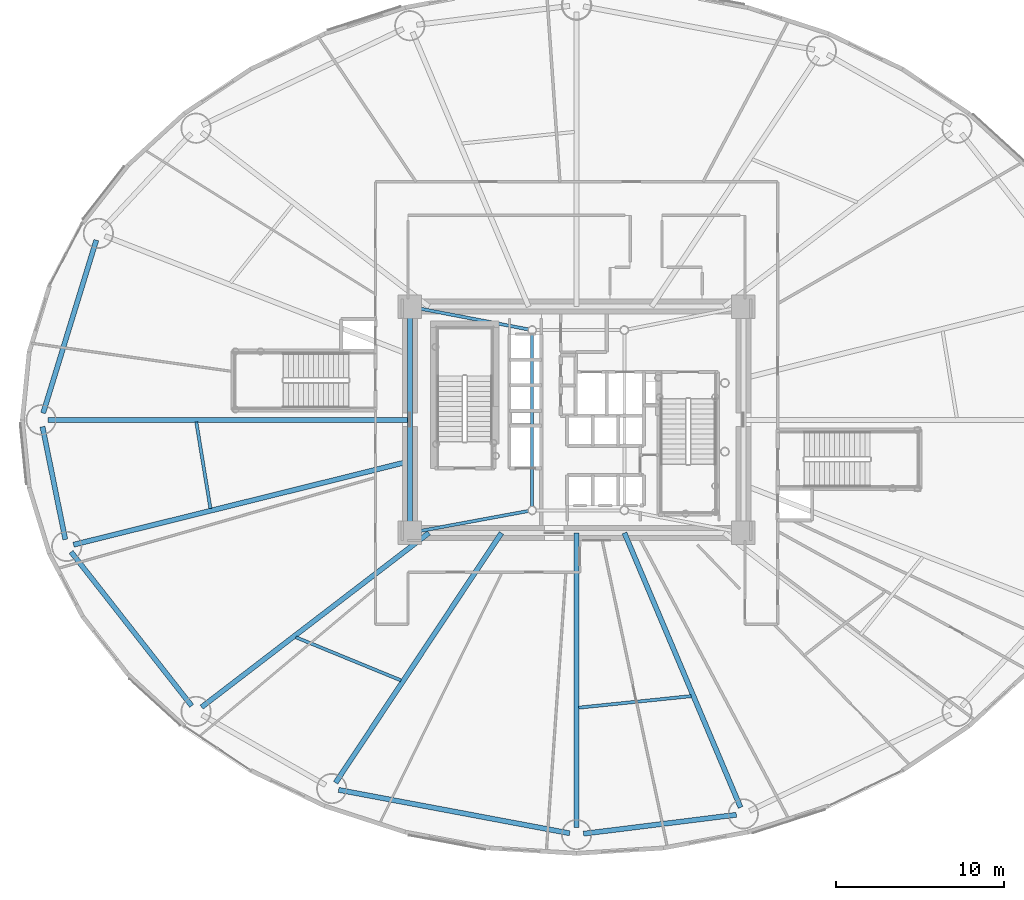
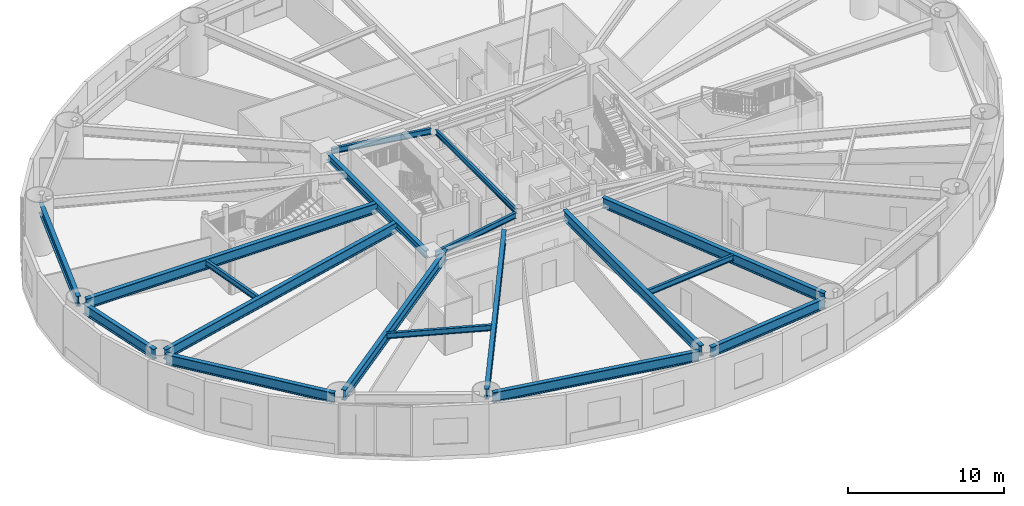
# One storey, part 5 of 27: 18 beams.
"""IFC4 building model written with IfcOpenShell, lengths in metres."""

from ifc_helpers import new_model, si_unit, direction, frame, origin, origin_2d, place, context, subcontext, project, spatial, i_section, extrude, material, material_profile, profile_set, type_object, element, save


model = new_model("IFC4")

# Units and contexts
model_context = context("Model", 3, precision=1e-05, world=origin(), true_north=direction((0.0, 1.0)))
body_context = subcontext(model_context, "Body", "Model", "MODEL_VIEW")
ifc_project = project(units=[si_unit("LENGTHUNIT", "METRE"), si_unit("AREAUNIT", "SQUARE_METRE"), si_unit("VOLUMEUNIT", "CUBIC_METRE"), si_unit("PLANEANGLEUNIT", "RADIAN"), si_unit("MASSUNIT", "GRAM", prefix="KILO")], contexts=[model_context])

# Site, building, storey
site_placement = place(None, origin())
site = spatial("IfcSite", under=ifc_project, at=site_placement, CompositionType="ELEMENT")
building_placement = place(site_placement, origin())
building = spatial("IfcBuilding", under=site, at=building_placement, Name="Linh Dai School and Residence Tower", CompositionType="ELEMENT")
storey_placement = place(building_placement, frame((0.0, 0.0, 14.39990234375)))
storey = spatial("IfcBuildingStorey", under=building, at=storey_placement, Name="L03", CompositionType="ELEMENT", Elevation=14.39990234375)

# Beams
ifc_material = material(Name="Structural Steel S355JR", Category="steel")
ifc_material_profile_1 = material_profile(ifc_material, i_section(OverallWidth=0.300048828125, OverallDepth=0.550048828125, WebThickness=0.014892578125, FlangeThickness=0.029052734375, FilletRadius=0.027099609375, at=origin_2d()), Name="HEB 550")
ifc_profile_set_1 = profile_set([ifc_material_profile_1], Name="Structural Steel S355JR")
beam_type_1 = type_object("IfcBeamType", Name="BM-RG55", PredefinedType="BEAM", material=ifc_profile_set_1)
beam_1_placement = place(storey_placement, frame((26.050048828125, 33.330078125, 3.625), z_axis=(0.0, -1.0, 0.0), x_axis=(1.0, 0.0, 0.0)))
element("IfcBeam", 1, at=beam_1_placement, inside=storey, type_object=beam_type_1, Name="L03 Core Perimeter Coupling Girder 4", PredefinedType="BEAM", context=body_context, shape_type="SweptSolid", body=[
    extrude(i_section(OverallWidth=0.300048828125, OverallDepth=0.550048828125, WebThickness=0.014892578125, FlangeThickness=0.029052734375, FilletRadius=0.027099609375, at=origin_2d()), origin(), (0.0, 0.0, 1.0), 12.66015625),
])
ifc_material_profile_2 = material_profile(ifc_material, i_section(OverallWidth=0.300048828125, OverallDepth=0.800048828125, WebThickness=0.017578125, FlangeThickness=0.032958984375, FilletRadius=0.030029296875, at=origin_2d()), Name="HEB 800")
ifc_profile_set_2 = profile_set([ifc_material_profile_2], Name="Structural Steel S355JR")
beam_type_2 = type_object("IfcBeamType", Name="BM-RG8", PredefinedType="BEAM", material=ifc_profile_set_2)
beam_2_placement = place(storey_placement, frame((26.050048828125, 27.0, 3.5), z_axis=(-1.0, 0.0, 0.0), x_axis=(0.0, -1.0, 0.0)))
element("IfcBeam", 2, at=beam_2_placement, inside=storey, type_object=beam_type_2, Name="L03 Primary Radial Floor Girder 09", PredefinedType="BEAM", context=body_context, shape_type="SweptSolid", body=[
    extrude(i_section(OverallWidth=0.300048828125, OverallDepth=0.800048828125, WebThickness=0.017578125, FlangeThickness=0.032958984375, FilletRadius=0.030029296875, at=origin_2d()), origin(), (0.0, 0.0, 1.0), 21.580078125),
])
beam_3_placement = place(storey_placement, frame((26.050048828125, 24.52880859375, 3.5), z_axis=(-0.970515097282, -0.241040340913, 0.0), x_axis=(0.241040340913, -0.970515097282, 0.0)))
element("IfcBeam", 3, at=beam_3_placement, inside=storey, type_object=beam_type_2, Name="L03 Primary Radial Floor Girder 10", PredefinedType="BEAM", context=body_context, shape_type="SweptSolid", body=[
    extrude(i_section(OverallWidth=0.300048828125, OverallDepth=0.800048828125, WebThickness=0.017578125, FlangeThickness=0.032958984375, FilletRadius=0.030029296875, at=origin_2d()), origin(), (0.0, 0.0, 1.0), 20.672607421875),
])
beam_4_placement = place(storey_placement, frame((27.192138671875, 20.25, 3.5), z_axis=(-0.793713040757, -0.608292371259, 0.0), x_axis=(0.608292371259, -0.793713040757, 0.0)))
element("IfcBeam", 4, at=beam_4_placement, inside=storey, type_object=beam_type_2, Name="L03 Primary Radial Floor Girder 11", PredefinedType="BEAM", context=body_context, shape_type="SweptSolid", body=[
    extrude(i_section(OverallWidth=0.300048828125, OverallDepth=0.800048828125, WebThickness=0.017578125, FlangeThickness=0.032958984375, FilletRadius=0.030029296875, at=origin_2d()), origin(), (0.0, 0.0, 1.0), 17.08935546875),
])
beam_5_placement = place(storey_placement, frame((31.518798828125, 20.25, 3.5), z_axis=(-0.553108911901, -0.833108955404, 0.0), x_axis=(0.833108955404, -0.553108911901, 0.0)))
element("IfcBeam", 5, at=beam_5_placement, inside=storey, type_object=beam_type_2, Name="L03 Primary Radial Floor Girder 12", PredefinedType="BEAM", context=body_context, shape_type="SweptSolid", body=[
    extrude(i_section(OverallWidth=0.300048828125, OverallDepth=0.800048828125, WebThickness=0.017578125, FlangeThickness=0.032958984375, FilletRadius=0.030029296875, at=origin_2d()), origin(), (0.0, 0.0, 1.0), 17.89111328125),
])
beam_6_placement = place(storey_placement, frame((36.0, 20.25, 3.5), z_axis=(0.0, -1.0, 0.0), x_axis=(1.0, 0.0, 0.0)))
element("IfcBeam", 6, at=beam_6_placement, inside=storey, type_object=beam_type_2, Name="L03 Primary Radial Floor Girder 13", PredefinedType="BEAM", context=body_context, shape_type="SweptSolid", body=[
    extrude(i_section(OverallWidth=0.300048828125, OverallDepth=0.800048828125, WebThickness=0.017578125, FlangeThickness=0.032958984375, FilletRadius=0.030029296875, at=origin_2d()), origin(), (0.0, 0.0, 1.0), 17.580078125),
])
beam_7_placement = place(storey_placement, frame((38.8564453125, 20.25, 3.5), z_axis=(0.389695518128, -0.920943756779, 0.0), x_axis=(0.920943756779, 0.389695518128, 0.0)))
element("IfcBeam", 7, at=beam_7_placement, inside=storey, type_object=beam_type_2, Name="L03 Primary Radial Floor Girder 14", PredefinedType="BEAM", context=body_context, shape_type="SweptSolid", body=[
    extrude(i_section(OverallWidth=0.300048828125, OverallDepth=0.800048828125, WebThickness=0.017578125, FlangeThickness=0.032958984375, FilletRadius=0.030029296875, at=origin_2d()), origin(), (0.0, 0.0, 1.0), 17.785400390625),
])
beam_8_placement = place(storey_placement, frame((7.343017578125, 37.720458984375, 3.5), z_axis=(-0.293626522026, -0.955920219246, 0.0), x_axis=(0.955920219246, -0.293626522026, 0.0)))
element("IfcBeam", 8, at=beam_8_placement, inside=storey, type_object=beam_type_2, Name="L03 Perimeter Elliptical Ring Beam 08", PredefinedType="BEAM", context=body_context, shape_type="SweptSolid", body=[
    extrude(i_section(OverallWidth=0.300048828125, OverallDepth=0.800048828125, WebThickness=0.017578125, FlangeThickness=0.032958984375, FilletRadius=0.030029296875, at=origin_2d()), origin(), (0.0, 0.0, 1.0), 10.794921875),
])
beam_9_placement = place(storey_placement, frame((4.13330078125, 26.58837890625, 3.5), z_axis=(0.198405440792, -0.980120034008, 0.0), x_axis=(0.980120034008, 0.198405440792, 0.0)))
element("IfcBeam", 9, at=beam_9_placement, inside=storey, type_object=beam_type_2, Name="L03 Perimeter Elliptical Ring Beam 09", PredefinedType="BEAM", context=body_context, shape_type="SweptSolid", body=[
    extrude(i_section(OverallWidth=0.300048828125, OverallDepth=0.800048828125, WebThickness=0.017578125, FlangeThickness=0.032958984375, FilletRadius=0.030029296875, at=origin_2d()), origin(), (0.0, 0.0, 1.0), 6.86865234375),
])
beam_10_placement = place(storey_placement, frame((5.838623046875, 19.114013671875, 3.5), z_axis=(0.616811949607, -0.787110550572, 0.0), x_axis=(0.787110550572, 0.616811949607, 0.0)))
element("IfcBeam", 10, at=beam_10_placement, inside=storey, type_object=beam_type_2, Name="L03 Perimeter Elliptical Ring Beam 10", PredefinedType="BEAM", context=body_context, shape_type="SweptSolid", body=[
    extrude(i_section(OverallWidth=0.300048828125, OverallDepth=0.800048828125, WebThickness=0.017578125, FlangeThickness=0.032958984375, FilletRadius=0.030029296875, at=origin_2d()), origin(), (0.0, 0.0, 1.0), 11.668212890625),
])
beam_11_placement = place(storey_placement, frame((21.803466796875, 4.917236328125, 3.5), z_axis=(0.98280551354, -0.184643772045, 0.0), x_axis=(0.184643772045, 0.98280551354, 0.0)))
element("IfcBeam", 11, at=beam_11_placement, inside=storey, type_object=beam_type_2, Name="L03 Perimeter Elliptical Ring Beam 12", PredefinedType="BEAM", context=body_context, shape_type="SweptSolid", body=[
    extrude(i_section(OverallWidth=0.300048828125, OverallDepth=0.800048828125, WebThickness=0.017578125, FlangeThickness=0.032958984375, FilletRadius=0.030029296875, at=origin_2d()), origin(), (0.0, 0.0, 1.0), 14.02490234375),
])
beam_12_placement = place(storey_placement, frame((36.416748046875, 2.3017578125, 3.5), z_axis=(0.992402470446, 0.123033884169, 0.0), x_axis=(-0.123033884169, 0.992402470446, 0.0)))
element("IfcBeam", 12, at=beam_12_placement, inside=storey, type_object=beam_type_2, Name="L03 Perimeter Elliptical Ring Beam 13", PredefinedType="BEAM", context=body_context, shape_type="SweptSolid", body=[
    extrude(i_section(OverallWidth=0.300048828125, OverallDepth=0.800048828125, WebThickness=0.017578125, FlangeThickness=0.032958984375, FilletRadius=0.030029296875, at=origin_2d()), origin(), (0.0, 0.0, 1.0), 9.1875),
])
ifc_material_profile_3 = material_profile(ifc_material, i_section(OverallWidth=0.179931640625, OverallDepth=0.39990234375, WebThickness=0.008544921875, FlangeThickness=0.013427734375, FilletRadius=0.02099609375, at=origin_2d()), Name="IPE 400")
ifc_profile_set_3 = profile_set([ifc_material_profile_3], Name="Structural Steel S355JR")
beam_type_3 = type_object("IfcBeamType", Name="BM-SB40", PredefinedType="BEAM", material=ifc_profile_set_3)
beam_13_placement = place(storey_placement, frame((33.35009765625, 32.1259765625, 3.7001953125), z_axis=(0.0, -1.0, 0.0), x_axis=(1.0, 0.0, 0.0)))
element("IfcBeam", 13, at=beam_13_placement, inside=storey, type_object=beam_type_3, Name="L03 Core Mast Pier Tie Beam 4", PredefinedType="BEAM", context=body_context, shape_type="SweptSolid", body=[
    extrude(i_section(OverallWidth=0.179931640625, OverallDepth=0.39990234375, WebThickness=0.008544921875, FlangeThickness=0.013427734375, FilletRadius=0.02099609375, at=origin_2d()), origin(), (0.0, 0.0, 1.0), 10.302001953125),
])
ifc_material_profile_4 = material_profile(ifc_material, i_section(OverallWidth=0.18994140625, OverallDepth=0.449951171875, WebThickness=0.009521484375, FlangeThickness=0.0146484375, FilletRadius=0.02099609375, at=origin_2d()), Name="IPE 450")
ifc_profile_set_4 = profile_set([ifc_material_profile_4], Name="Structural Steel S355JR")
beam_type_4 = type_object("IfcBeamType", Name="BM-SB45", PredefinedType="BEAM", material=ifc_profile_set_4)
beam_14_placement = place(storey_placement, frame((26.462890625, 20.326416015625, 3.675048828125), z_axis=(0.983326152819, 0.18185070025, 0.0), x_axis=(-0.18185070025, 0.983326152819, 0.0)))
element("IfcBeam", 14, at=beam_14_placement, inside=storey, type_object=beam_type_4, Name="L03 Core Corner-to-Mast Pier Beam 1", PredefinedType="BEAM", context=body_context, shape_type="SweptSolid", body=[
    extrude(i_section(OverallWidth=0.18994140625, OverallDepth=0.449951171875, WebThickness=0.009521484375, FlangeThickness=0.0146484375, FilletRadius=0.02099609375, at=origin_2d()), origin(), (0.0, 0.0, 1.0), 6.77978515625),
])
beam_15_placement = place(storey_placement, frame((26.46240234375, 33.6708984375, 3.675048828125), z_axis=(0.982100456787, -0.188357884832, 0.0), x_axis=(0.188357884832, 0.982100456787, 0.0)))
element("IfcBeam", 15, at=beam_15_placement, inside=storey, type_object=beam_type_4, Name="L03 Core Corner-to-Mast Pier Beam 4", PredefinedType="BEAM", context=body_context, shape_type="SweptSolid", body=[
    extrude(i_section(OverallWidth=0.18994140625, OverallDepth=0.449951171875, WebThickness=0.009521484375, FlangeThickness=0.0146484375, FilletRadius=0.02099609375, at=origin_2d()), origin(), (0.0, 0.0, 1.0), 6.789306640625),
])
beam_16_placement = place(storey_placement, frame((13.31103515625, 26.871826171875, 3.675048828125), z_axis=(0.161492699369, -0.986873906865, 0.0), x_axis=(0.986873906865, 0.161492699369, 0.0)))
element("IfcBeam", 16, at=beam_16_placement, inside=storey, type_object=beam_type_4, Name="L03 Secondary Circumferential Floor Beam 05", PredefinedType="BEAM", context=body_context, shape_type="SweptSolid", body=[
    extrude(i_section(OverallWidth=0.18994140625, OverallDepth=0.449951171875, WebThickness=0.009521484375, FlangeThickness=0.0146484375, FilletRadius=0.02099609375, at=origin_2d()), origin(), (0.0, 0.0, 1.0), 5.232177734375),
])
beam_17_placement = place(storey_placement, frame((19.251953125, 14.023193359375, 3.675048828125), z_axis=(0.925243182728, -0.37937455478, 0.0), x_axis=(0.37937455478, 0.925243182728, 0.0)))
element("IfcBeam", 17, at=beam_17_placement, inside=storey, type_object=beam_type_4, Name="L03 Secondary Circumferential Floor Beam 06", PredefinedType="BEAM", context=body_context, shape_type="SweptSolid", body=[
    extrude(i_section(OverallWidth=0.18994140625, OverallDepth=0.449951171875, WebThickness=0.009521484375, FlangeThickness=0.0146484375, FilletRadius=0.02099609375, at=origin_2d()), origin(), (0.0, 0.0, 1.0), 6.779052734375),
])
beam_18_placement = place(storey_placement, frame((36.12939453125, 9.8232421875, 3.675048828125), z_axis=(0.994770416376, 0.102136275157, 0.0), x_axis=(-0.102136275157, 0.994770416376, 0.0)))
element("IfcBeam", 18, at=beam_18_placement, inside=storey, type_object=beam_type_4, Name="L03 Secondary Circumferential Floor Beam 07", PredefinedType="BEAM", context=body_context, shape_type="SweptSolid", body=[
    extrude(i_section(OverallWidth=0.18994140625, OverallDepth=0.449951171875, WebThickness=0.009521484375, FlangeThickness=0.0146484375, FilletRadius=0.02099609375, at=origin_2d()), origin(), (0.0, 0.0, 1.0), 6.748046875),
])

save(model, "model.ifc")
